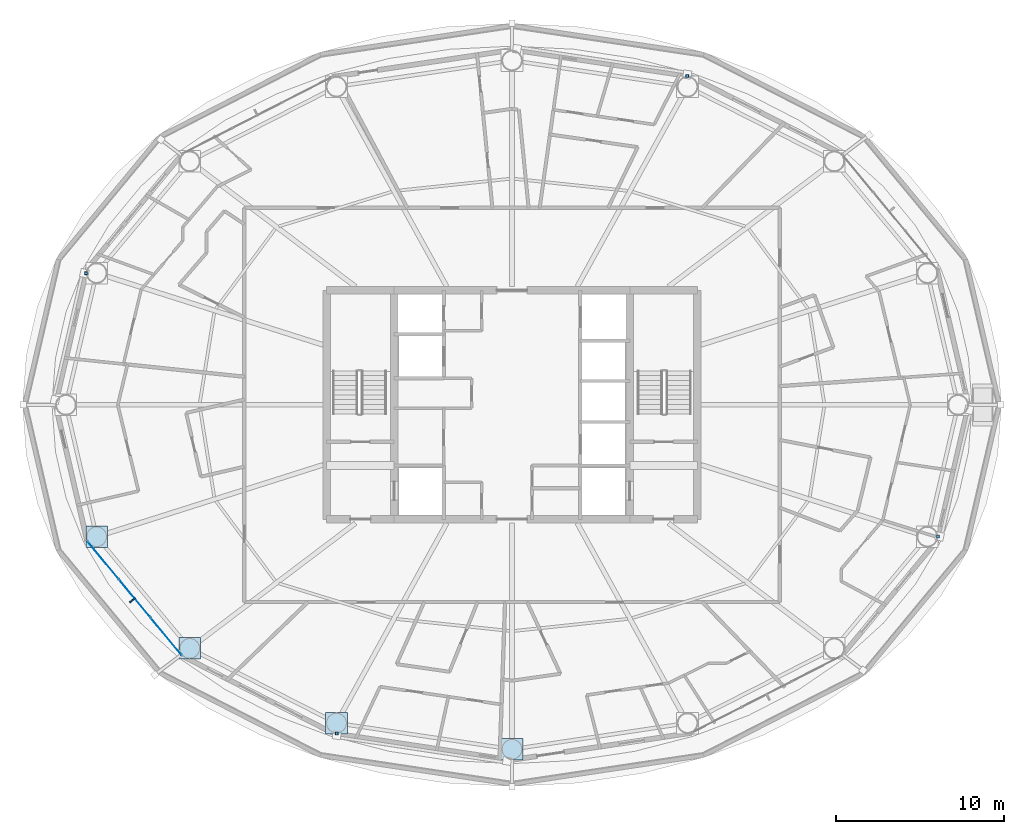
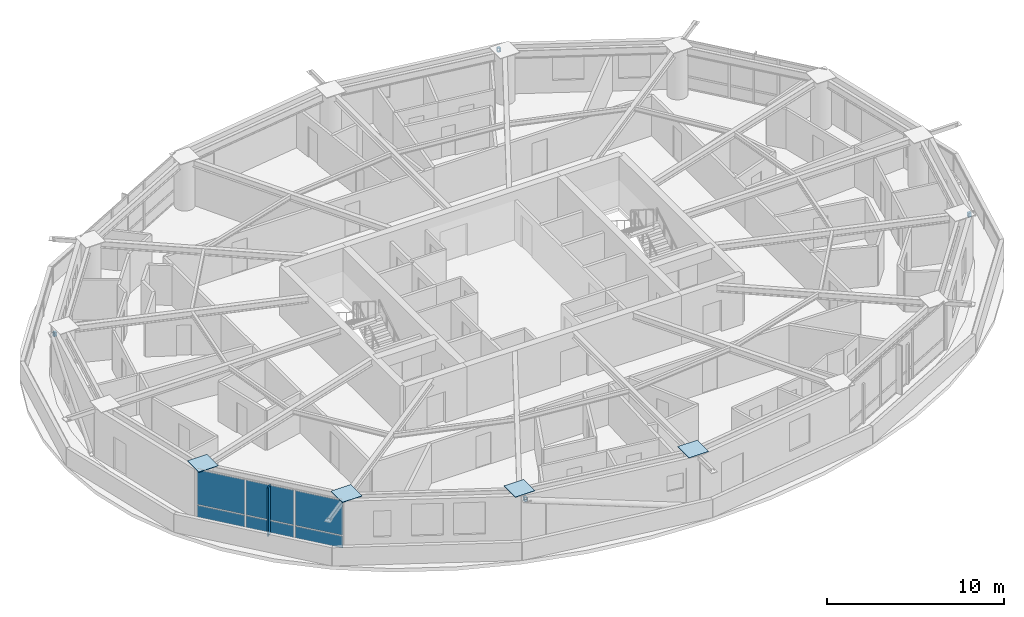
# One storey, part 16 of 27: 11 plates, 4 members, 1 element without a shape of its own.
"""IFC4 building model written with IfcOpenShell, lengths in metres."""

from ifc_helpers import new_model, si_unit, direction, frame, origin, origin_2d, place, context, subcontext, project, spatial, rectangle, hollow_rectangle, extrude, material, layer, layer_set, material_profile, profile_set, type_object, element, aggregate, save


model = new_model("IFC4")

# Units and contexts
model_context = context("Model", 3, precision=1e-05, world=origin(), true_north=direction((0.0, 1.0)))
body_context = subcontext(model_context, "Body", "Model", "MODEL_VIEW")
ifc_project = project(units=[si_unit("LENGTHUNIT", "METRE"), si_unit("AREAUNIT", "SQUARE_METRE"), si_unit("VOLUMEUNIT", "CUBIC_METRE"), si_unit("PLANEANGLEUNIT", "RADIAN"), si_unit("MASSUNIT", "GRAM", prefix="KILO")], contexts=[model_context])

# Site, building, storey
site_placement = place(None, origin())
site = spatial("IfcSite", under=ifc_project, at=site_placement, CompositionType="ELEMENT")
building_placement = place(site_placement, origin())
building = spatial("IfcBuilding", under=site, at=building_placement, Name="Sarneth Arch Tower", CompositionType="ELEMENT")
storey_placement = place(building_placement, frame((0.0, 0.0, 150.60009765625)))
storey = spatial("IfcBuildingStorey", under=building, at=storey_placement, Name="L37", CompositionType="ELEMENT", Elevation=150.60009765625)

# Members
ifc_material_1 = material(Name="Steel S355", Category="steel")
ifc_material_profile = material_profile(ifc_material_1, hollow_rectangle(XDim=0.199951171875, YDim=0.300048828125, WallThickness=0.012451171875, InnerFilletRadius=0.018798828125, OuterFilletRadius=0.03125, at=origin_2d()), Name="RHS300x200x12.5")
ifc_profile_set = profile_set([ifc_material_profile], Name="Steel S355")
member_type = type_object("IfcMemberType", Name="MEM-CANT-STRUT", PredefinedType="STRUT", material=ifc_profile_set)
member_1_placement = place(storey_placement, frame((58.40869140625, 61.43310546875, 3.050537109375), z_axis=(-0.024482455341, 0.999700259768, 0.0), x_axis=(-0.999700259768, -0.024482455341, 0.0)))
element("IfcMember", 1, at=member_1_placement, inside=storey, type_object=member_type, Name="L37 Exoskeleton brace node strut 04B", PredefinedType="STRUT", context=body_context, shape_type="SweptSolid", body=[
    extrude(hollow_rectangle(XDim=0.199951171875, YDim=0.300048828125, WallThickness=0.012451171875, InnerFilletRadius=0.018798828125, OuterFilletRadius=0.03125, at=origin_2d()), origin(), (0.0, 0.0, 1.0), 0.179443359375),
])
member_2_placement = place(storey_placement, frame((22.7978515625, 49.81640625, 3.050537109375), z_axis=(-0.999835179989, -0.018155243216, 0.0), x_axis=(0.018155243216, -0.999835179989, 0.0)))
element("IfcMember", 2, at=member_2_placement, inside=storey, type_object=member_type, Name="L37 Exoskeleton brace node strut 08B", PredefinedType="STRUT", context=body_context, shape_type="SweptSolid", body=[
    extrude(hollow_rectangle(XDim=0.199951171875, YDim=0.300048828125, WallThickness=0.012451171875, InnerFilletRadius=0.018798828125, OuterFilletRadius=0.03125, at=origin_2d()), origin(), (0.0, 0.0, 1.0), 0.188232421875),
])
member_3_placement = place(storey_placement, frame((37.59130859375, 22.56689453125, 3.050537109375), z_axis=(0.024482455341, -0.999700259768, 0.0), x_axis=(0.999700259768, 0.024482455341, 0.0)))
element("IfcMember", 3, at=member_3_placement, inside=storey, type_object=member_type, Name="L37 Exoskeleton brace node strut 12B", PredefinedType="STRUT", context=body_context, shape_type="SweptSolid", body=[
    extrude(hollow_rectangle(XDim=0.199951171875, YDim=0.300048828125, WallThickness=0.012451171875, InnerFilletRadius=0.018798828125, OuterFilletRadius=0.03125, at=origin_2d()), origin(), (0.0, 0.0, 1.0), 0.179443359375),
])
member_4_placement = place(storey_placement, frame((73.2021484375, 34.18359375, 3.050537109375), z_axis=(0.999835179989, 0.018155243216, 0.0), x_axis=(-0.018155243216, 0.999835179989, 0.0)))
element("IfcMember", 4, at=member_4_placement, inside=storey, type_object=member_type, Name="L37 Exoskeleton brace node strut 16B", PredefinedType="STRUT", context=body_context, shape_type="SweptSolid", body=[
    extrude(hollow_rectangle(XDim=0.199951171875, YDim=0.300048828125, WallThickness=0.012451171875, InnerFilletRadius=0.018798828125, OuterFilletRadius=0.03125, at=origin_2d()), origin(), (0.0, 0.0, 1.0), 0.188232421875),
])

# Curtain wall, plates
ifc_material_2 = material(Name="Anodised aluminium Type AA25 and solar-control low-e laminated IGU", Category="aluminium")
ifc_layer_1 = layer(ifc_material_2, 0.169921875)
ifc_layer_set_1 = layer_set([ifc_layer_1], Name="Anodised aluminium Type AA25 and solar-control low-e laminated IGU")
curtain_wall_type = type_object("IfcCurtainWallType", Name="CW-RES-MID", PredefinedType="NOTDEFINED", material=ifc_layer_set_1)
curtain_wall_placement = place(storey_placement, origin())
curtain_wall = element("IfcCurtainWall", 5, at=curtain_wall_placement, inside=storey, type_object=curtain_wall_type, Name="L37 Unitised curtain wall facet 10", PredefinedType="NOTDEFINED")
ifc_material_3 = material(Name="Solar-control low-e laminated IGU", Category="glass")
ifc_layer_2 = layer(ifc_material_3, 0.028076171875)
ifc_layer_set_2 = layer_set([ifc_layer_2], Name="Solar-control low-e laminated IGU")
plate_type_1 = type_object("IfcPlateType", Name="CW-PANEL", PredefinedType="CURTAIN_PANEL", material=ifc_layer_set_2)
plate_1_placement = place(storey_placement, frame((23.719970703125, 32.78173828125, 0.059814453125), z_axis=(0.0, 0.0, 1.0), x_axis=(0.637330298558, -0.770590741276, 0.0)))
plate_1 = element("IfcPlate", 6, at=plate_1_placement, type_object=plate_type_1, Name="Curtain wall glazed vision pane CW-L37-F10/P00-00", PredefinedType="CURTAIN_PANEL", context=body_context, shape_type="SweptSolid", body=[
    extrude(rectangle(XDim=2.8681640625, YDim=0.028076171875, at=origin_2d()), origin(), (0.0, 0.0, 1.0), 0.81005859375),
])
plate_2_placement = place(storey_placement, frame((23.719970703125, 32.78173828125, 0.93017578125), z_axis=(0.0, 0.0, 1.0), x_axis=(0.637330298558, -0.770590741276, 0.0)))
plate_2 = element("IfcPlate", 7, at=plate_2_placement, type_object=plate_type_1, Name="Curtain wall glazed vision pane CW-L37-F10/P00-01", PredefinedType="CURTAIN_PANEL", context=body_context, shape_type="SweptSolid", body=[
    extrude(rectangle(XDim=2.8681640625, YDim=0.028076171875, at=origin_2d()), origin(), (0.0, 0.0, 1.0), 2.389892578125),
])
plate_3_placement = place(storey_placement, frame((25.595703125, 30.513671875, 0.059814453125), z_axis=(0.0, 0.0, 1.0), x_axis=(0.637330298558, -0.770590741276, 0.0)))
plate_3 = element("IfcPlate", 8, at=plate_3_placement, type_object=plate_type_1, Name="Curtain wall glazed vision pane CW-L37-F10/P01-00", PredefinedType="CURTAIN_PANEL", context=body_context, shape_type="SweptSolid", body=[
    extrude(rectangle(XDim=2.898193359375, YDim=0.028076171875, at=origin_2d()), origin(), (0.0, 0.0, 1.0), 0.81005859375),
])
plate_4_placement = place(storey_placement, frame((25.595703125, 30.513671875, 0.93017578125), z_axis=(0.0, 0.0, 1.0), x_axis=(0.637330298558, -0.770590741276, 0.0)))
plate_4 = element("IfcPlate", 9, at=plate_4_placement, type_object=plate_type_1, Name="Curtain wall glazed vision pane CW-L37-F10/P01-01", PredefinedType="CURTAIN_PANEL", context=body_context, shape_type="SweptSolid", body=[
    extrude(rectangle(XDim=2.898193359375, YDim=0.028076171875, at=origin_2d()), origin(), (0.0, 0.0, 1.0), 2.389892578125),
])
plate_5_placement = place(storey_placement, frame((27.4716796875, 28.24560546875, 0.059814453125), z_axis=(0.0, 0.0, 1.0), x_axis=(0.637330298558, -0.770590741276, 0.0)))
plate_5 = element("IfcPlate", 10, at=plate_5_placement, type_object=plate_type_1, Name="Curtain wall glazed vision pane CW-L37-F10/P02-00", PredefinedType="CURTAIN_PANEL", context=body_context, shape_type="SweptSolid", body=[
    extrude(rectangle(XDim=2.8681640625, YDim=0.028076171875, at=origin_2d()), origin(), (0.0, 0.0, 1.0), 0.81005859375),
])
plate_6_placement = place(storey_placement, frame((27.4716796875, 28.24560546875, 0.93017578125), z_axis=(0.0, 0.0, 1.0), x_axis=(0.637330298558, -0.770590741276, 0.0)))
plate_6 = element("IfcPlate", 11, at=plate_6_placement, type_object=plate_type_1, Name="Curtain wall glazed vision pane CW-L37-F10/P02-01", PredefinedType="CURTAIN_PANEL", context=body_context, shape_type="SweptSolid", body=[
    extrude(rectangle(XDim=2.8681640625, YDim=0.028076171875, at=origin_2d()), origin(), (0.0, 0.0, 1.0), 2.389892578125),
])
aggregate(curtain_wall, [plate_1, plate_2, plate_3, plate_4, plate_5, plate_6])

# Plates
ifc_material_4 = material(Name="Steel S355", Category="steel")
ifc_layer_3 = layer(ifc_material_4, 0.0400390625)
ifc_layer_set_3 = layer_set([ifc_layer_3], Name="Steel S355")
plate_type_2 = type_object("IfcPlateType", Name="PLT-SPLICE-40", PredefinedType="SHEET", material=ifc_layer_set_3)
for number, where, z_axis, x_axis, name in (
    (12, (23.337890625, 34.174072265625, 3.36181640625), (0.0, 0.0, 1.0), (1.0, 0.0, 0.0), "Steel end cap plate GP-2"),
    (13, (28.8662109375, 27.53955078125, 3.36181640625), (0.0, 0.0, 1.0), (1.0, 0.0, 0.0), "Steel end cap plate GP-2"),
    (14, (37.578125, 23.106689453125, 3.36181640625), (0.0, 0.0, 1.0), (1.0, 0.0, 0.0), "Steel end cap plate GP-2"),
    (15, (48.0, 21.550048828125, 3.36181640625), (0.0, 0.0, 1.0), (1.0, 0.0, 0.0), "Steel end cap plate GP-2"),
):
    element("IfcPlate", number, at=place(storey_placement, frame(where, z_axis=z_axis, x_axis=x_axis)), inside=storey, type_object=plate_type_2, Name=name, PredefinedType="SHEET", context=body_context, shape_type="SweptSolid", body=[
        extrude(rectangle(XDim=1.280029296875, YDim=1.280029296875, at=origin_2d()), origin(), (0.0, 0.0, 1.0), 0.035888671875),
    ])
ifc_material_5 = material(Name="Extruded glazed terracotta baguette fin on Aluminium 6063-T6 carrier", Category="masonry")
ifc_layer_4 = layer(ifc_material_5, 0.080078125)
ifc_layer_set_4 = layer_set([ifc_layer_4], Name="Extruded glazed terracotta baguette fin on Aluminium 6063-T6 carrier")
plate_type_3 = type_object("IfcPlateType", Name="SHADE-TERRA-FIN", PredefinedType="SHEET", material=ifc_layer_set_4)
plate_7_placement = place(storey_placement, frame((25.46484375, 30.4052734375, 0.009765625), z_axis=(0.0, 0.0, 1.0), x_axis=(-0.770624482513, -0.637289500111, 0.0)))
element("IfcPlate", 16, at=plate_7_placement, inside=storey, type_object=plate_type_3, Name="L37 Terracotta vertical shading fin 10", PredefinedType="SHEET", context=body_context, shape_type="SweptSolid", body=[
    extrude(rectangle(XDim=0.419921875, YDim=0.080078125, at=origin_2d()), origin(), (0.0, 0.0, 1.0), 3.360107421875),
])

save(model, "model.ifc")
